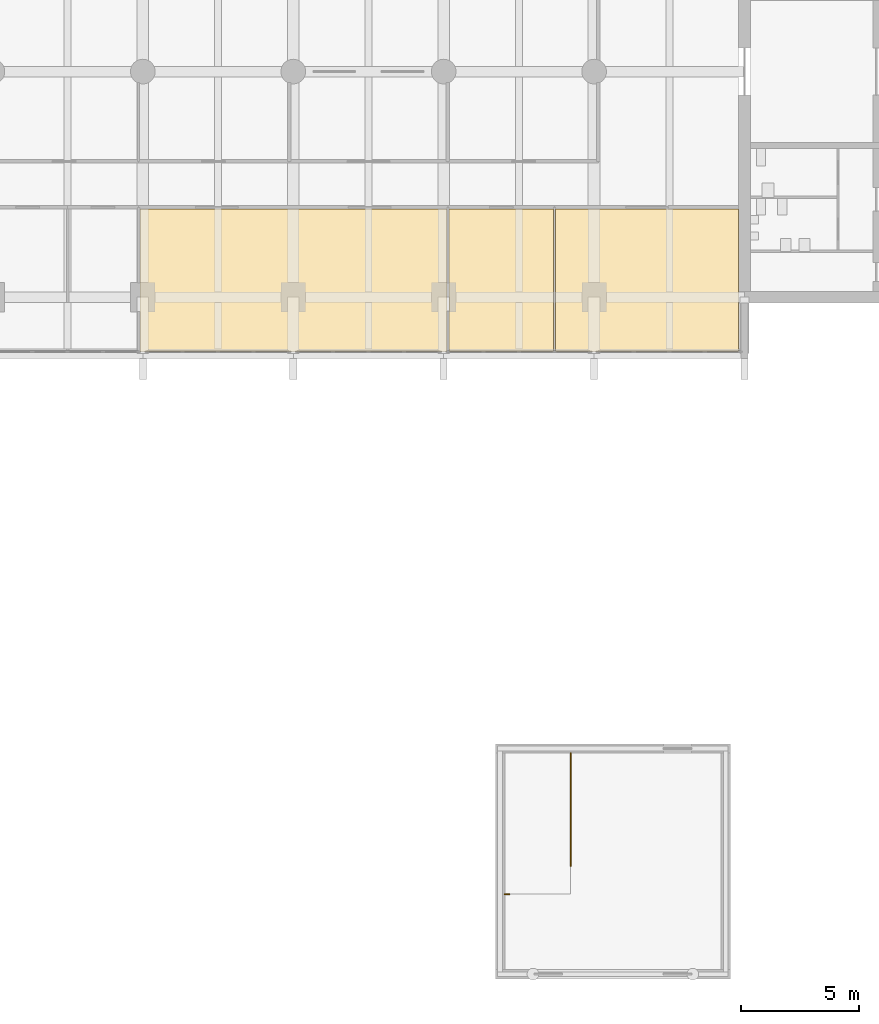
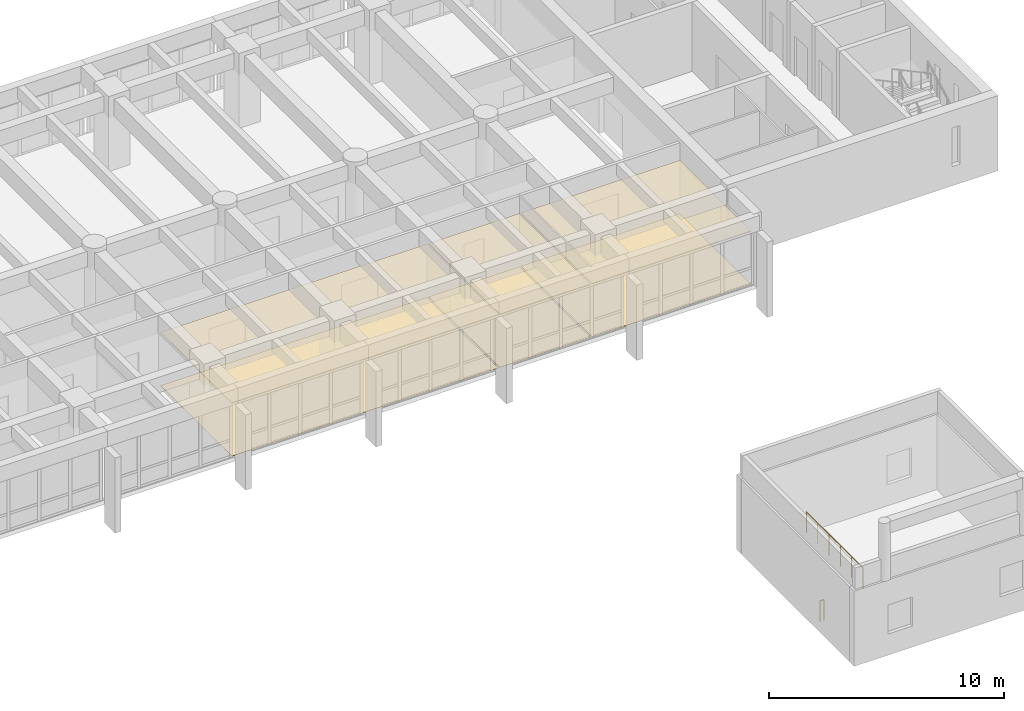
# One storey, part 17 of 19: 6 coverings, 2 railings.
"""IFC4 building model written with IfcOpenShell, lengths in metres."""

from ifc_helpers import new_model, si_unit, direction, frame, origin, origin_2d, place, context, subcontext, project, spatial, polyline, circle, outline, extrude, material, layer, layer_set, type_object, element, save


model = new_model("IFC4")

# Units and contexts
model_context = context("Model", 3, precision=1e-05, world=origin(), true_north=direction((0.0, 1.0)))
body_context = subcontext(model_context, "Body", "Model", "MODEL_VIEW")
ifc_project = project(units=[si_unit("LENGTHUNIT", "METRE"), si_unit("AREAUNIT", "SQUARE_METRE"), si_unit("VOLUMEUNIT", "CUBIC_METRE"), si_unit("PLANEANGLEUNIT", "RADIAN"), si_unit("MASSUNIT", "GRAM", prefix="KILO")], contexts=[model_context])

# Site, building, storey
site_placement = place(None, origin())
site = spatial("IfcSite", under=ifc_project, at=site_placement, CompositionType="ELEMENT")
building_placement = place(site_placement, origin())
building = spatial("IfcBuilding", under=site, at=building_placement, Name="Fogon Plaza Fire Station and Headquarters Tower", CompositionType="ELEMENT")
storey_placement = place(building_placement, frame((0.0, 0.0, 24.89990234375)))
storey = spatial("IfcBuildingStorey", under=building, at=storey_placement, Name="L06", CompositionType="ELEMENT", Elevation=24.89990234375)

# Railings
ifc_material_1 = material(Name="Stainless Steel", Category="steel")
railing_type = type_object("IfcRailingType", Name="Guard Steel 1100", PredefinedType="GUARDRAIL", material=ifc_material_1)
railing_1_placement = place(storey_placement, frame((56.60009765625, 9.39990234375, 0.0)))
element("IfcRailing", 1, at=railing_1_placement, inside=storey, type_object=railing_type, Name="rail-DT1-L06-edge", PredefinedType="GUARDRAIL", context=body_context, shape_type="SweptSolid", body=[
    extrude(circle(Radius=0.02392578125, at=origin_2d()), frame((0.0, 0.0, 1.076171875), z_axis=(0.0, 1.0, 0.0), x_axis=(-1.0, 0.0, 0.0)), (0.0, 0.0, 1.0), 4.800048828125),
    extrude(circle(Radius=0.02099609375, at=origin_2d()), origin(), (0.0, 0.0, 1.0), 1.052001953125),
    extrude(circle(Radius=0.02099609375, at=origin_2d()), frame((0.0, 0.9599609375, 0.0)), (0.0, 0.0, 1.0), 1.052001953125),
    extrude(circle(Radius=0.02099609375, at=origin_2d()), frame((0.0, 1.919921875, 0.0)), (0.0, 0.0, 1.0), 1.052001953125),
    extrude(circle(Radius=0.02099609375, at=origin_2d()), frame((0.0, 2.880126953125, 0.0)), (0.0, 0.0, 1.0), 1.052001953125),
    extrude(circle(Radius=0.02099609375, at=origin_2d()), frame((0.0, 3.840087890625, 0.0)), (0.0, 0.0, 1.0), 1.052001953125),
    extrude(circle(Radius=0.02099609375, at=origin_2d()), frame((0.0, 4.800048828125, 0.0)), (0.0, 0.0, 1.0), 1.052001953125),
])
railing_2_placement = place(storey_placement, frame((53.800048828125, 8.199951171875, 0.0)))
element("IfcRailing", 2, at=railing_2_placement, inside=storey, type_object=railing_type, Name="rail-DT1-L06-slotmouth", PredefinedType="GUARDRAIL", context=body_context, shape_type="SweptSolid", body=[
    extrude(circle(Radius=0.02392578125, at=origin_2d()), frame((0.0, 0.0, 1.076171875), z_axis=(1.0, 0.0, 0.0), x_axis=(0.0, 1.0, 0.0)), (0.0, 0.0, 1.0), 0.199951171875),
    extrude(circle(Radius=0.02099609375, at=origin_2d()), origin(), (0.0, 0.0, 1.0), 1.052001953125),
    extrude(circle(Radius=0.02099609375, at=origin_2d()), frame((0.199951171875, 0.0, 0.0)), (0.0, 0.0, 1.0), 1.052001953125),
])

# Coverings
ifc_material_2 = material(Name="Acoustic ceiling tile")
ifc_layer_1 = layer(ifc_material_2, 0.050048828125)
ifc_layer_set_1 = layer_set([ifc_layer_1], Name="Acoustic ceiling tile")
covering_type_1 = type_object("IfcCoveringType", Name="Tower acoustic ceiling", PredefinedType="CEILING", material=ifc_layer_set_1)
covering_1_placement = place(storey_placement, frame((0.0, 0.0, 2.72998046875)))
element("IfcCovering", 3, at=covering_1_placement, inside=storey, type_object=covering_type_1, Name="cov-cl-L06-06", PredefinedType="CEILING", context=body_context, shape_type="SweptSolid", body=[
    extrude(outline(polyline([(55.87255859375, 31.300048828125), (55.87255859375, 37.35009765625), (51.41748046875, 37.35009765625), (51.41748046875, 31.300048828125), (55.87255859375, 31.300048828125)])), origin(), (0.0, 0.0, 1.0), 0.050048828125),
])
ifc_material_3 = material(Name="Carpet tile")
ifc_layer_2 = layer(ifc_material_3, 0.011962890625)
ifc_layer_set_2 = layer_set([ifc_layer_2], Name="Carpet tile")
covering_type_2 = type_object("IfcCoveringType", Name="Tower carpet tile floor", PredefinedType="FLOORING", material=ifc_layer_set_2)
covering_2_placement = place(storey_placement, origin())
element("IfcCovering", 4, at=covering_2_placement, inside=storey, type_object=covering_type_2, Name="cov-fl-L06-05", PredefinedType="FLOORING", context=body_context, shape_type="SweptSolid", body=[
    extrude(outline(polyline([(51.342529296875, 31.300048828125), (51.342529296875, 37.35009765625), (38.27001953125, 37.35009765625), (38.27001953125, 31.300048828125), (51.342529296875, 31.300048828125)])), origin(), (0.0, 0.0, 1.0), 0.01220703125),
])
covering_3_placement = place(storey_placement, origin())
element("IfcCovering", 5, at=covering_3_placement, inside=storey, type_object=covering_type_2, Name="cov-fl-L06-06", PredefinedType="FLOORING", context=body_context, shape_type="SweptSolid", body=[
    extrude(outline(polyline([(55.87255859375, 31.300048828125), (55.87255859375, 37.35009765625), (51.41748046875, 37.35009765625), (51.41748046875, 31.300048828125), (55.87255859375, 31.300048828125)])), origin(), (0.0, 0.0, 1.0), 0.01220703125),
])
covering_4_placement = place(storey_placement, origin())
element("IfcCovering", 6, at=covering_4_placement, inside=storey, type_object=covering_type_2, Name="cov-fl-L06-07", PredefinedType="FLOORING", context=body_context, shape_type="SweptSolid", body=[
    extrude(outline(polyline([(63.75, 31.300048828125), (63.75, 37.35009765625), (55.947509765625, 37.35009765625), (55.947509765625, 31.300048828125), (63.75, 31.300048828125)])), origin(), (0.0, 0.0, 1.0), 0.01220703125),
])
ifc_material_4 = material(Name="Mineral fibre ceiling tile")
ifc_layer_3 = layer(ifc_material_4, 0.0400390625)
ifc_layer_set_3 = layer_set([ifc_layer_3], Name="Mineral fibre ceiling tile")
covering_type_3 = type_object("IfcCoveringType", Name="Tower suspended tile ceiling", PredefinedType="CEILING", material=ifc_layer_set_3)
covering_5_placement = place(storey_placement, frame((0.0, 0.0, 2.739990234375)))
element("IfcCovering", 7, at=covering_5_placement, inside=storey, type_object=covering_type_3, Name="cov-cl-L06-05", PredefinedType="CEILING", context=body_context, shape_type="SweptSolid", body=[
    extrude(outline(polyline([(51.342529296875, 31.300048828125), (51.342529296875, 37.35009765625), (38.27001953125, 37.35009765625), (38.27001953125, 31.300048828125), (51.342529296875, 31.300048828125)])), origin(), (0.0, 0.0, 1.0), 0.0400390625),
])
covering_6_placement = place(storey_placement, frame((0.0, 0.0, 2.739990234375)))
element("IfcCovering", 8, at=covering_6_placement, inside=storey, type_object=covering_type_3, Name="cov-cl-L06-07", PredefinedType="CEILING", context=body_context, shape_type="SweptSolid", body=[
    extrude(outline(polyline([(63.75, 31.300048828125), (63.75, 37.35009765625), (55.947509765625, 37.35009765625), (55.947509765625, 31.300048828125), (63.75, 31.300048828125)])), origin(), (0.0, 0.0, 1.0), 0.0400390625),
])

save(model, "model.ifc")
